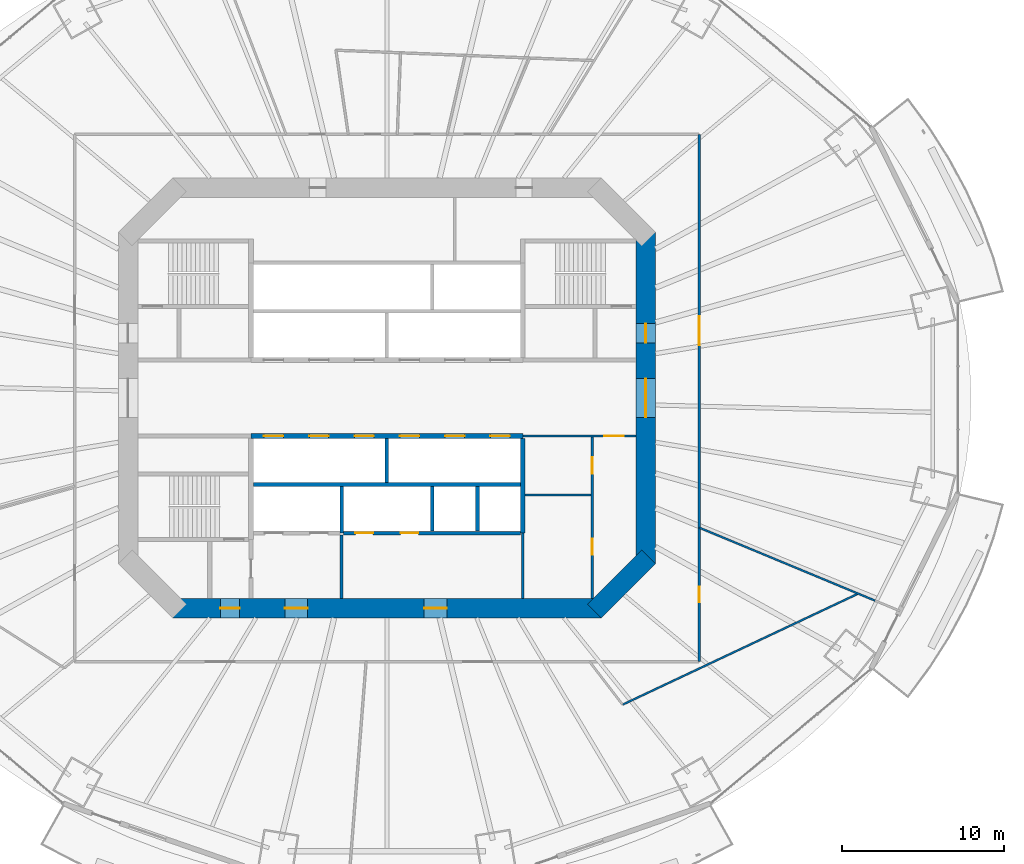
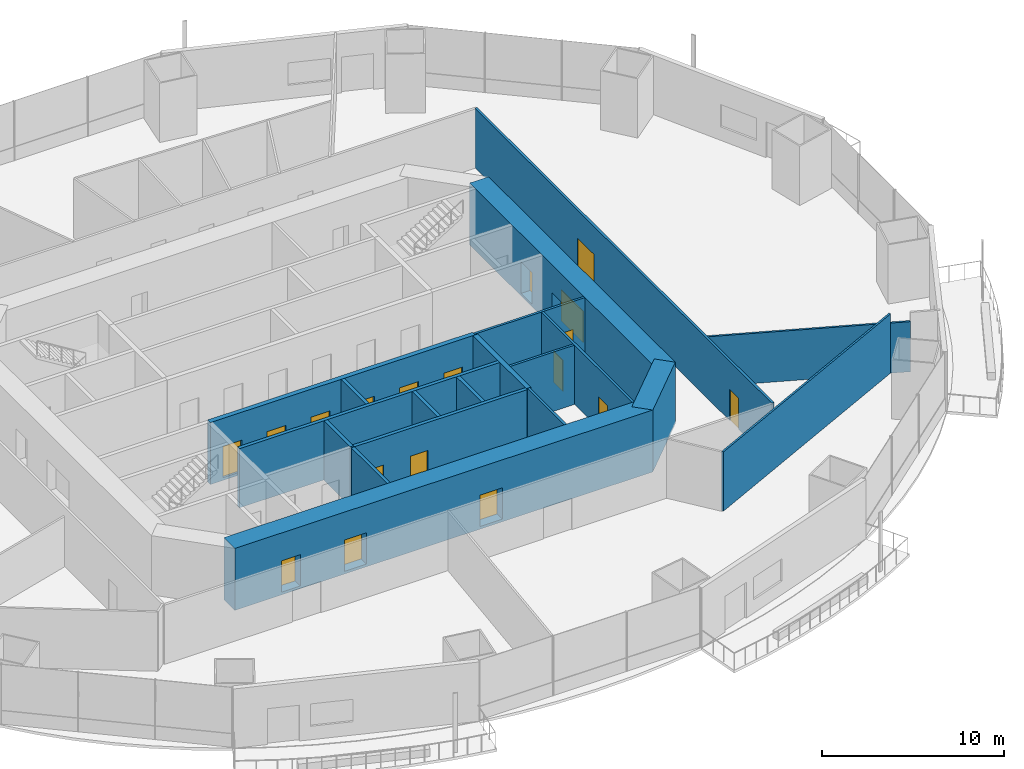
# One storey, part 15 of 23: 19 walls, 18 doors, 18 openings.
"""IFC4 building model written with IfcOpenShell, lengths in metres."""

import ifcopenshell
import ifcopenshell.guid

model = None  # the IFC model being written
_history = None  # IfcOwnerHistory: only IFC2X3 demands one
_inside = {}  # id of a spatial element -> (the spatial element, [elements in it])
_under = {}  # id of a project, library or spatial element -> (it, [spatial elements below it])
_declared = {}  # id of a project -> (the project, [libraries it declares])
_typed = {}  # id of a type object -> (the type object, [elements of that type])
_made_of = {}  # id of a material, layer set ... -> (it, [elements and type objects made of it])


def new_model(schema):
    """Start an empty IFC model of exactly this schema.

    Asked for "IFC4X3", IfcOpenShell would pick the latest addendum, in which some entities
    have other attributes; the version numbers below select the first issue.
    IFC2X3 requires an IfcOwnerHistory on every rooted entity: one is made here for all.
    """
    global model, _history
    if schema == "IFC4X3":
        model = ifcopenshell.file(schema_version=(4, 3, 0, 0))
    else:
        model = ifcopenshell.file(schema=schema)
    _inside.clear()
    _under.clear()
    _declared.clear()
    _typed.clear()
    _made_of.clear()
    _history = None
    if model.schema == "IFC2X3":
        org = make("IfcOrganization", Name="unknown")
        user = make(
            "IfcPersonAndOrganization",
            ThePerson=make("IfcPerson", FamilyName="unknown"),
            TheOrganization=org,
        )
        app = make(
            "IfcApplication",
            ApplicationDeveloper=org,
            Version="unknown",
            ApplicationFullName="unknown",
            ApplicationIdentifier="unknown",
        )
        _history = make(
            "IfcOwnerHistory",
            OwningUser=user,
            OwningApplication=app,
            ChangeAction="ADDED",
            CreationDate=0,
        )
    return model


def make(cls, **values):
    """One entity of the class cls with the attributes given. An attribute that is None is left unset."""
    return model.create_entity(
        cls, **{name: value for name, value in values.items() if value is not None}
    )


def rooted(cls, **values):
    """An entity with a GlobalId (a new one), such as an element, a storey or a relation."""
    return make(cls, GlobalId=ifcopenshell.guid.new(), OwnerHistory=_history, **values)


def si_unit(unit_type, name, prefix=None):
    """IfcSIUnit, for example si_unit("LENGTHUNIT", "METRE", prefix="MILLI")."""
    return make("IfcSIUnit", UnitType=unit_type, Prefix=prefix, Name=name)


def assignment(units):
    """IfcUnitAssignment: the units of a project."""
    return None if units is None else make("IfcUnitAssignment", Units=units)


def point(xyz):
    """IfcCartesianPoint."""
    return None if xyz is None else make("IfcCartesianPoint", Coordinates=xyz)


def direction(xyz):
    """IfcDirection."""
    return None if xyz is None else make("IfcDirection", DirectionRatios=xyz)


def frame(location, z_axis=None, x_axis=None):
    """IfcAxis2Placement3D, a coordinate frame: its origin and axes. An axis left out is left unset."""
    return make(
        "IfcAxis2Placement3D",
        Location=point(location),
        Axis=direction(z_axis),
        RefDirection=direction(x_axis),
    )


def frame_2d(location, x_axis=None):
    """IfcAxis2Placement2D, a coordinate frame in the plane: its origin and x axis."""
    return make(
        "IfcAxis2Placement2D", Location=point(location), RefDirection=direction(x_axis)
    )


def origin():
    """The frame at (0, 0, 0) with its axes left unset."""
    return frame((0.0, 0.0, 0.0))


def place(relative_to, where):
    """IfcLocalPlacement: puts the frame where relative to a parent placement (None: the world)."""
    return make(
        "IfcLocalPlacement", PlacementRelTo=relative_to, RelativePlacement=where
    )


def context(
    kind, dimensions, precision=None, world=None, true_north=None, identifier=None
):
    """IfcGeometricRepresentationContext, for example the 3D "Model" context."""
    return make(
        "IfcGeometricRepresentationContext",
        ContextIdentifier=identifier,
        ContextType=kind,
        CoordinateSpaceDimension=dimensions,
        Precision=precision,
        WorldCoordinateSystem=world,
        TrueNorth=true_north,
    )


def subcontext(parent, identifier, kind, view, scale=None):
    """IfcGeometricRepresentationSubContext, for example "Body" below "Model"."""
    return make(
        "IfcGeometricRepresentationSubContext",
        ContextIdentifier=identifier,
        ContextType=kind,
        ParentContext=parent,
        TargetScale=scale,
        TargetView=view,
    )


def project(units=None, contexts=None):
    """IfcProject with its units and contexts."""
    return rooted(
        "IfcProject",
        Name="project",
        RepresentationContexts=contexts,
        UnitsInContext=assignment(units),
    )


def spatial(cls, under=None, at=None, **own):
    """A site, building, storey or space (cls), placed at a placement, below another one or the project."""
    s = rooted(cls, ObjectPlacement=at, **own)
    if under is not None:
        _under.setdefault(under.id(), (under, []))[1].append(s)
    return s


def profile(cls, at=None, kind="AREA", **sizes):
    """A parametric profile (cls). Its sizes go by their IFC names, for example OverallWidth=200.0."""
    return make(cls, ProfileType=kind, Position=at, **sizes)


def rectangle(**sizes):
    """IfcRectangleProfileDef."""
    return profile("IfcRectangleProfileDef", **sizes)


def extrude(swept, where, along, depth):
    """IfcExtrudedAreaSolid: the profile swept, set in the frame where, extruded along a direction by depth."""
    return make(
        "IfcExtrudedAreaSolid",
        SweptArea=swept,
        Position=where,
        ExtrudedDirection=direction(along),
        Depth=depth,
    )


def shape(context_of_items, identifier, shape_type, items):
    """IfcShapeRepresentation: the items that make up one representation, for example the "Body"."""
    return make(
        "IfcShapeRepresentation",
        ContextOfItems=context_of_items,
        RepresentationIdentifier=identifier,
        RepresentationType=shape_type,
        Items=items,
    )


def material(Name=None, Category=None):
    """IfcMaterial."""
    return make("IfcMaterial", Name=Name, Category=Category)


def layer(
    of_material, thickness, ventilated=None, Name=None, Category=None, Priority=None
):
    """IfcMaterialLayer: one layer of a wall or slab, of a material (None: an air gap)."""
    return make(
        "IfcMaterialLayer",
        Material=of_material,
        LayerThickness=thickness,
        IsVentilated=ventilated,
        Name=Name,
        Category=Category,
        Priority=Priority,
    )


def layer_set(layers, Name=None):
    """IfcMaterialLayerSet."""
    return make("IfcMaterialLayerSet", MaterialLayers=layers, LayerSetName=Name)


def made_of(thing, what):
    """Note that an element or type object is made of a material, layer set ...; save() writes the relation."""
    if what is not None:
        _made_of.setdefault(what.id(), (what, []))[1].append(thing)
    return thing


def type_object(cls, material=None, **own):
    """A type object (cls), such as IfcWallType, which elements share."""
    return made_of(rooted(cls, **own), material)


def element(
    cls,
    number,
    at=None,
    inside=None,
    cuts=None,
    type_object=None,
    material=None,
    context=None,
    identifier="Body",
    shape_type=None,
    held_by="IfcProductDefinitionShape",
    body=None,
    shapes=None,
    **own,
):
    """One element of the class cls, such as IfcWall. Its Tag is "e" and its number.

    at: its placement. inside: the storey or other place that contains it. cuts: it is an
    opening in that element (IfcRelVoidsElement). A single representation is given by context,
    identifier, shape_type and body (its items); several are given by shapes. held_by: the class
    of the entity that holds the representations. save() writes the other relations.
    """
    e = rooted(cls, Tag="e%d" % number, ObjectPlacement=at, **own)
    if body is not None:
        shapes = [shape(context, identifier, shape_type, body)]
    if shapes is not None:
        e.Representation = make(held_by, Representations=shapes)
    if inside is not None:
        _inside.setdefault(inside.id(), (inside, []))[1].append(e)
    if cuts is not None:
        rooted(
            "IfcRelVoidsElement", RelatingBuildingElement=cuts, RelatedOpeningElement=e
        )
    if type_object is not None:
        _typed.setdefault(type_object.id(), (type_object, []))[1].append(e)
    return made_of(e, material)


def fill(opening, filler):
    """IfcRelFillsElement: the door or window that sits in an opening."""
    return rooted(
        "IfcRelFillsElement",
        RelatingOpeningElement=opening,
        RelatedBuildingElement=filler,
    )


def aggregate(whole, parts):
    """IfcRelAggregates: a whole, such as a stair, and the parts it consists of."""
    return rooted("IfcRelAggregates", RelatingObject=whole, RelatedObjects=parts)


def save(model, path):
    """Write the relations noted so far, then the file.

    IfcRelAggregates (storeys below a building ...), IfcRelContainedInSpatialStructure (elements
    in a storey), IfcRelDefinesByType, IfcRelAssociatesMaterial and IfcRelDeclares: one each for
    every whole, place, type object, material and project.
    """
    for whole, parts in _under.values():
        aggregate(whole, parts)
    for where, things in _inside.values():
        rooted(
            "IfcRelContainedInSpatialStructure",
            RelatedElements=things,
            RelatingStructure=where,
        )
    for kind, things in _typed.values():
        rooted("IfcRelDefinesByType", RelatedObjects=things, RelatingType=kind)
    for what, things in _made_of.values():
        rooted("IfcRelAssociatesMaterial", RelatedObjects=things, RelatingMaterial=what)
    for by, libraries in _declared.values():
        rooted("IfcRelDeclares", RelatingContext=by, RelatedDefinitions=libraries)
    model.write(path)


model = new_model("IFC4")

# Units and contexts
model_context = context("Model", 3, precision=1e-05, world=origin(), true_north=direction((0.0, 1.0)))
body_context = subcontext(model_context, "Body", "Model", "MODEL_VIEW")
ifc_project = project(units=[si_unit("LENGTHUNIT", "METRE"), si_unit("AREAUNIT", "SQUARE_METRE"), si_unit("VOLUMEUNIT", "CUBIC_METRE"), si_unit("PLANEANGLEUNIT", "RADIAN"), si_unit("MASSUNIT", "GRAM", prefix="KILO")], contexts=[model_context])

# Site, building, storey
site_placement = place(None, origin())
site = spatial("IfcSite", under=ifc_project, at=site_placement, CompositionType="ELEMENT")
building_placement = place(site_placement, origin())
building = spatial("IfcBuilding", under=site, at=building_placement, Name="Marenthal Gate Tower", CompositionType="ELEMENT")
storey_placement = place(building_placement, frame((0.0, 0.0, 57.89990234375)))
storey = spatial("IfcBuildingStorey", under=building, at=storey_placement, Name="L10", CompositionType="ELEMENT", Elevation=57.89990234375)

# Wall
ifc_material_1 = material(Name="Concrete 60 MPa", Category="concrete")
ifc_layer_1 = layer(ifc_material_1, 1.199951171875)
ifc_layer_set_1 = layer_set([ifc_layer_1], Name="Core shear wall 1200")
wall_type_1 = type_object("IfcWallType", Name="Core shear wall 1200", PredefinedType="SHEAR", material=ifc_layer_set_1)
wall_1_placement = place(storey_placement, frame((12.82421875, -13.17578125, -0.179931640625), z_axis=(0.0, 0.0, 1.0), x_axis=(0.707106781187, 0.707106781187, 0.0)))
element("IfcWall", 1, at=wall_1_placement, inside=storey, type_object=wall_type_1, Name="Core wall 01", PredefinedType="SHEAR", context=body_context, shape_type="SweptSolid", body=[
    extrude(rectangle(XDim=4.73974609375, YDim=1.199951171875, at=frame_2d((2.369873046875, 0.0))), origin(), (0.0, 0.0, 1.0), 4.150146484375),
])

# Wall, openings, doors
wall_2_placement = place(storey_placement, frame((16.0, -10.24853515625, -0.179931640625), z_axis=(0.0, 0.0, 1.0), x_axis=(0.0, 1.0, 0.0)))
wall_2 = element("IfcWall", 2, at=wall_2_placement, inside=storey, type_object=wall_type_1, Name="Core wall 02", PredefinedType="SHEAR", context=body_context, shape_type="SweptSolid", body=[
    extrude(rectangle(XDim=20.4970703125, YDim=1.199951171875, at=frame_2d((10.24853515625, 0.0))), origin(), (0.0, 0.0, 1.0), 4.150146484375),
])
opening_1_placement = place(wall_2_placement, frame((9.048583984375, 0.0, 0.179931640625)))
opening_1 = element("IfcOpeningElement", 3, at=opening_1_placement, cuts=wall_2, Name="Opening D003.02", PredefinedType="OPENING", context=body_context, shape_type="SweptSolid", body=[
    extrude(rectangle(XDim=2.39990234375, YDim=2.10009765625, at=frame_2d((1.199951171875, 1.050048828125))), frame((0.0, 0.60986328125, 0.0), z_axis=(0.0, -1.0, 0.0), x_axis=(1.0, 0.0, 0.0)), (0.0, 0.0, 1.0), 1.219970703125),
])
opening_2_placement = place(wall_2_placement, frame((13.6484375, 0.0, 0.179931640625)))
opening_2 = element("IfcOpeningElement", 4, at=opening_2_placement, cuts=wall_2, Name="Opening D001.05", PredefinedType="OPENING", context=body_context, shape_type="SweptSolid", body=[
    extrude(rectangle(XDim=1.199951171875, YDim=2.10009765625, at=frame_2d((0.60009765625, 1.050048828125))), frame((0.0, 0.60986328125, 0.0), z_axis=(0.0, -1.0, 0.0), x_axis=(1.0, 0.0, 0.0)), (0.0, 0.0, 1.0), 1.219970703125),
])
ifc_material_2 = material(Name="Steel fire door", Category="steel")
door_type_1 = type_object("IfcDoorType", Name="Double fire door FD 45 2400 x 2100", OperationType="DOUBLE_DOOR_SINGLE_SWING", PredefinedType="DOOR", material=ifc_material_2)
door_1_placement = place(opening_1_placement, origin())
door_1 = element("IfcDoor", 5, at=door_1_placement, inside=storey, type_object=door_type_1, Name="Door D003.02", OperationType="DOUBLE_DOOR_SINGLE_SWING", OverallHeight=2.10009765625, OverallWidth=2.39990234375, PredefinedType="DOOR", context=body_context, shape_type="SweptSolid", body=[
    extrude(rectangle(XDim=2.39990234375, YDim=2.10009765625, at=frame_2d((1.199951171875, 1.050048828125))), frame((0.0, 0.02490234375, 0.0), z_axis=(0.0, -1.0, 0.0), x_axis=(1.0, 0.0, 0.0)), (0.0, 0.0, 1.0), 0.050048828125),
])
fill(opening_1, door_1)
ifc_material_3 = material(Name="Steel fire door", Category="steel")
door_type_2 = type_object("IfcDoorType", Name="Fire door FD 90 1200 x 2100", OperationType="NOTDEFINED", PredefinedType="DOOR", material=ifc_material_3)
door_2_placement = place(opening_2_placement, origin())
door_2 = element("IfcDoor", 6, at=door_2_placement, inside=storey, type_object=door_type_2, Name="Door D001.05", OperationType="SINGLE_SWING_RIGHT", OverallHeight=2.10009765625, OverallWidth=1.199951171875, PredefinedType="DOOR", context=body_context, shape_type="SweptSolid", body=[
    extrude(rectangle(XDim=1.199951171875, YDim=2.10009765625, at=frame_2d((0.60009765625, 1.050048828125))), frame((0.0, 0.02490234375, 0.0), z_axis=(0.0, -1.0, 0.0), x_axis=(1.0, 0.0, 0.0)), (0.0, 0.0, 1.0), 0.050048828125),
])
fill(opening_2, door_2)

wall_3_placement = place(storey_placement, frame((-13.24853515625, -13.0, -0.179931640625), z_axis=(0.0, 0.0, 1.0), x_axis=(1.0, 0.0, 0.0)))
wall_3 = element("IfcWall", 7, at=wall_3_placement, inside=storey, type_object=wall_type_1, Name="Core wall 08", PredefinedType="SHEAR", context=body_context, shape_type="SweptSolid", body=[
    extrude(rectangle(XDim=26.4970703125, YDim=1.199951171875, at=frame_2d((13.24853515625, 0.0))), origin(), (0.0, 0.0, 1.0), 4.150146484375),
])
opening_3_placement = place(wall_3_placement, frame((2.948486328125, 0.0, 0.179931640625)))
opening_3 = element("IfcOpeningElement", 8, at=opening_3_placement, cuts=wall_3, Name="Opening D001.06", PredefinedType="OPENING", context=body_context, shape_type="SweptSolid", body=[
    extrude(rectangle(XDim=1.199951171875, YDim=2.10009765625, at=frame_2d((0.60009765625, 1.050048828125))), frame((0.0, 0.60986328125, 0.0), z_axis=(0.0, -1.0, 0.0), x_axis=(1.0, 0.0, 0.0)), (0.0, 0.0, 1.0), 1.219970703125),
])
opening_4_placement = place(wall_3_placement, frame((6.948486328125, 0.0, 0.179931640625)))
opening_4 = element("IfcOpeningElement", 9, at=opening_4_placement, cuts=wall_3, Name="Opening D004.01", PredefinedType="OPENING", context=body_context, shape_type="SweptSolid", body=[
    extrude(rectangle(XDim=1.39990234375, YDim=2.10009765625, at=frame_2d((0.699951171875, 1.050048828125))), frame((0.0, 0.60986328125, 0.0), z_axis=(0.0, -1.0, 0.0), x_axis=(1.0, 0.0, 0.0)), (0.0, 0.0, 1.0), 1.219970703125),
])
opening_5_placement = place(wall_3_placement, frame((15.548583984375, 0.0, 0.179931640625)))
opening_5 = element("IfcOpeningElement", 10, at=opening_5_placement, cuts=wall_3, Name="Opening D004.02", PredefinedType="OPENING", context=body_context, shape_type="SweptSolid", body=[
    extrude(rectangle(XDim=1.39990234375, YDim=2.10009765625, at=frame_2d((0.699951171875, 1.050048828125))), frame((0.0, 0.60986328125, 0.0), z_axis=(0.0, -1.0, 0.0), x_axis=(1.0, 0.0, 0.0)), (0.0, 0.0, 1.0), 1.219970703125),
])
ifc_material_4 = material(Name="Steel fire door", Category="steel")
door_type_3 = type_object("IfcDoorType", Name="Fire door FD 45 1400 x 2100", OperationType="NOTDEFINED", PredefinedType="DOOR", material=ifc_material_4)
door_3_placement = place(opening_4_placement, origin())
door_3 = element("IfcDoor", 11, at=door_3_placement, inside=storey, type_object=door_type_3, Name="Door D004.01", OperationType="SINGLE_SWING_RIGHT", OverallHeight=2.10009765625, OverallWidth=1.39990234375, PredefinedType="DOOR", context=body_context, shape_type="SweptSolid", body=[
    extrude(rectangle(XDim=1.39990234375, YDim=2.10009765625, at=frame_2d((0.699951171875, 1.050048828125))), frame((0.0, 0.02490234375, 0.0), z_axis=(0.0, -1.0, 0.0), x_axis=(1.0, 0.0, 0.0)), (0.0, 0.0, 1.0), 0.050048828125),
])
fill(opening_4, door_3)
door_4_placement = place(opening_5_placement, origin())
door_4 = element("IfcDoor", 12, at=door_4_placement, inside=storey, type_object=door_type_3, Name="Door D004.02", OperationType="SINGLE_SWING_RIGHT", OverallHeight=2.10009765625, OverallWidth=1.39990234375, PredefinedType="DOOR", context=body_context, shape_type="SweptSolid", body=[
    extrude(rectangle(XDim=1.39990234375, YDim=2.10009765625, at=frame_2d((0.699951171875, 1.050048828125))), frame((0.0, 0.02490234375, 0.0), z_axis=(0.0, -1.0, 0.0), x_axis=(1.0, 0.0, 0.0)), (0.0, 0.0, 1.0), 0.050048828125),
])
fill(opening_5, door_4)
door_5_placement = place(opening_3_placement, origin())
door_5 = element("IfcDoor", 13, at=door_5_placement, inside=storey, type_object=door_type_2, Name="Door D001.06", OperationType="SINGLE_SWING_RIGHT", OverallHeight=2.10009765625, OverallWidth=1.199951171875, PredefinedType="DOOR", context=body_context, shape_type="SweptSolid", body=[
    extrude(rectangle(XDim=1.199951171875, YDim=2.10009765625, at=frame_2d((0.60009765625, 1.050048828125))), frame((0.0, 0.02490234375, 0.0), z_axis=(0.0, -1.0, 0.0), x_axis=(1.0, 0.0, 0.0)), (0.0, 0.0, 1.0), 0.050048828125),
])
fill(opening_3, door_5)

# Wall
ifc_material_5 = material(Name="Gypsum board on steel studs", Category="steel")
ifc_layer_2 = layer(ifc_material_5, 0.199951171875)
ifc_layer_set_2 = layer_set([ifc_layer_2], Name="Fire lobby wall 200")
wall_type_2 = type_object("IfcWallType", Name="Fire lobby wall 200", PredefinedType="PARTITIONING", material=ifc_layer_set_2)
wall_4_placement = place(storey_placement, frame((-2.800048828125, -12.39990234375, 0.0), z_axis=(0.0, 0.0, 1.0), x_axis=(0.0, 1.0, 0.0)))
element("IfcWall", 14, at=wall_4_placement, inside=storey, type_object=wall_type_2, Name="Fire wall 33", PredefinedType="PARTITIONING", context=body_context, shape_type="SweptSolid", body=[
    extrude(rectangle(XDim=3.93994140625, YDim=0.199951171875, at=frame_2d((1.969970703125, 0.0))), origin(), (0.0, 0.0, 1.0), 3.97021484375),
])

# Wall, openings, doors
ifc_material_6 = material(Name="Concrete 50 MPa", Category="concrete")
ifc_layer_3 = layer(ifc_material_6, 0.300048828125)
ifc_layer_set_3 = layer_set([ifc_layer_3], Name="Hoistway shear wall 300")
wall_type_3 = type_object("IfcWallType", Name="Hoistway shear wall 300", PredefinedType="SHEAR", material=ifc_layer_set_3)
wall_5_placement = place(storey_placement, frame((-8.39990234375, -2.35009765625, -0.179931640625), z_axis=(0.0, 0.0, 1.0), x_axis=(1.0, 0.0, 0.0)))
wall_5 = element("IfcWall", 15, at=wall_5_placement, inside=storey, type_object=wall_type_3, Name="Hoistway wall 16", PredefinedType="SHEAR", context=body_context, shape_type="SweptSolid", body=[
    extrude(rectangle(XDim=16.7998046875, YDim=0.300048828125, at=frame_2d((8.39990234375, 0.0))), origin(), (0.0, 0.0, 1.0), 4.150146484375),
])
opening_6_placement = place(wall_5_placement, frame((0.800048828125, 0.0, 0.179931640625)))
opening_6 = element("IfcOpeningElement", 16, at=opening_6_placement, cuts=wall_5, Name="Opening LD-LP7", PredefinedType="OPENING", context=body_context, shape_type="SweptSolid", body=[
    extrude(rectangle(XDim=1.199951171875, YDim=2.10009765625, at=frame_2d((0.60009765625, 1.050048828125))), frame((0.0, 0.16015625, 0.0), z_axis=(0.0, -1.0, 0.0), x_axis=(1.0, 0.0, 0.0)), (0.0, 0.0, 1.0), 0.320068359375),
])
opening_7_placement = place(wall_5_placement, frame((3.60009765625, 0.0, 0.179931640625)))
opening_7 = element("IfcOpeningElement", 17, at=opening_7_placement, cuts=wall_5, Name="Opening LD-LP8", PredefinedType="OPENING", context=body_context, shape_type="SweptSolid", body=[
    extrude(rectangle(XDim=1.199951171875, YDim=2.10009765625, at=frame_2d((0.60009765625, 1.050048828125))), frame((0.0, 0.16015625, 0.0), z_axis=(0.0, -1.0, 0.0), x_axis=(1.0, 0.0, 0.0)), (0.0, 0.0, 1.0), 0.320068359375),
])
opening_8_placement = place(wall_5_placement, frame((6.39990234375, 0.0, 0.179931640625)))
opening_8 = element("IfcOpeningElement", 18, at=opening_8_placement, cuts=wall_5, Name="Opening LD-LP9", PredefinedType="OPENING", context=body_context, shape_type="SweptSolid", body=[
    extrude(rectangle(XDim=1.199951171875, YDim=2.10009765625, at=frame_2d((0.60009765625, 1.050048828125))), frame((0.0, 0.16015625, 0.0), z_axis=(0.0, -1.0, 0.0), x_axis=(1.0, 0.0, 0.0)), (0.0, 0.0, 1.0), 0.320068359375),
])
opening_9_placement = place(wall_5_placement, frame((9.199951171875, 0.0, 0.179931640625)))
opening_9 = element("IfcOpeningElement", 19, at=opening_9_placement, cuts=wall_5, Name="Opening LD-LP10", PredefinedType="OPENING", context=body_context, shape_type="SweptSolid", body=[
    extrude(rectangle(XDim=1.199951171875, YDim=2.10009765625, at=frame_2d((0.60009765625, 1.050048828125))), frame((0.0, 0.16015625, 0.0), z_axis=(0.0, -1.0, 0.0), x_axis=(1.0, 0.0, 0.0)), (0.0, 0.0, 1.0), 0.320068359375),
])
opening_10_placement = place(wall_5_placement, frame((12.0, 0.0, 0.179931640625)))
opening_10 = element("IfcOpeningElement", 20, at=opening_10_placement, cuts=wall_5, Name="Opening LD-LP11", PredefinedType="OPENING", context=body_context, shape_type="SweptSolid", body=[
    extrude(rectangle(XDim=1.199951171875, YDim=2.10009765625, at=frame_2d((0.60009765625, 1.050048828125))), frame((0.0, 0.16015625, 0.0), z_axis=(0.0, -1.0, 0.0), x_axis=(1.0, 0.0, 0.0)), (0.0, 0.0, 1.0), 0.320068359375),
])
opening_11_placement = place(wall_5_placement, frame((14.800048828125, 0.0, 0.179931640625)))
opening_11 = element("IfcOpeningElement", 21, at=opening_11_placement, cuts=wall_5, Name="Opening LD-LP12", PredefinedType="OPENING", context=body_context, shape_type="SweptSolid", body=[
    extrude(rectangle(XDim=1.199951171875, YDim=2.10009765625, at=frame_2d((0.60009765625, 1.050048828125))), frame((0.0, 0.16015625, 0.0), z_axis=(0.0, -1.0, 0.0), x_axis=(1.0, 0.0, 0.0)), (0.0, 0.0, 1.0), 0.320068359375),
])
ifc_material_7 = material(Name="Stainless steel sliding door", Category="steel")
door_type_4 = type_object("IfcDoorType", Name="Lift landing door FD 90 1200 x 2100", OperationType="DOUBLE_DOOR_SLIDING", PredefinedType="DOOR", material=ifc_material_7)
door_6_placement = place(opening_6_placement, origin())
door_6 = element("IfcDoor", 22, at=door_6_placement, inside=storey, type_object=door_type_4, Name="Lift landing door LP7", OperationType="DOUBLE_DOOR_SLIDING", OverallHeight=2.10009765625, OverallWidth=1.199951171875, PredefinedType="DOOR", context=body_context, shape_type="SweptSolid", body=[
    extrude(rectangle(XDim=1.199951171875, YDim=2.10009765625, at=frame_2d((0.60009765625, 1.050048828125))), frame((0.0, 0.02490234375, 0.0), z_axis=(0.0, -1.0, 0.0), x_axis=(1.0, 0.0, 0.0)), (0.0, 0.0, 1.0), 0.050048828125),
])
fill(opening_6, door_6)
door_7_placement = place(opening_7_placement, origin())
door_7 = element("IfcDoor", 23, at=door_7_placement, inside=storey, type_object=door_type_4, Name="Lift landing door LP8", OperationType="DOUBLE_DOOR_SLIDING", OverallHeight=2.10009765625, OverallWidth=1.199951171875, PredefinedType="DOOR", context=body_context, shape_type="SweptSolid", body=[
    extrude(rectangle(XDim=1.199951171875, YDim=2.10009765625, at=frame_2d((0.60009765625, 1.050048828125))), frame((0.0, 0.02490234375, 0.0), z_axis=(0.0, -1.0, 0.0), x_axis=(1.0, 0.0, 0.0)), (0.0, 0.0, 1.0), 0.050048828125),
])
fill(opening_7, door_7)
door_8_placement = place(opening_8_placement, origin())
door_8 = element("IfcDoor", 24, at=door_8_placement, inside=storey, type_object=door_type_4, Name="Lift landing door LP9", OperationType="DOUBLE_DOOR_SLIDING", OverallHeight=2.10009765625, OverallWidth=1.199951171875, PredefinedType="DOOR", context=body_context, shape_type="SweptSolid", body=[
    extrude(rectangle(XDim=1.199951171875, YDim=2.10009765625, at=frame_2d((0.60009765625, 1.050048828125))), frame((0.0, 0.02490234375, 0.0), z_axis=(0.0, -1.0, 0.0), x_axis=(1.0, 0.0, 0.0)), (0.0, 0.0, 1.0), 0.050048828125),
])
fill(opening_8, door_8)
door_9_placement = place(opening_9_placement, origin())
door_9 = element("IfcDoor", 25, at=door_9_placement, inside=storey, type_object=door_type_4, Name="Lift landing door LP10", OperationType="DOUBLE_DOOR_SLIDING", OverallHeight=2.10009765625, OverallWidth=1.199951171875, PredefinedType="DOOR", context=body_context, shape_type="SweptSolid", body=[
    extrude(rectangle(XDim=1.199951171875, YDim=2.10009765625, at=frame_2d((0.60009765625, 1.050048828125))), frame((0.0, 0.02490234375, 0.0), z_axis=(0.0, -1.0, 0.0), x_axis=(1.0, 0.0, 0.0)), (0.0, 0.0, 1.0), 0.050048828125),
])
fill(opening_9, door_9)
door_10_placement = place(opening_10_placement, origin())
door_10 = element("IfcDoor", 26, at=door_10_placement, inside=storey, type_object=door_type_4, Name="Lift landing door LP11", OperationType="DOUBLE_DOOR_SLIDING", OverallHeight=2.10009765625, OverallWidth=1.199951171875, PredefinedType="DOOR", context=body_context, shape_type="SweptSolid", body=[
    extrude(rectangle(XDim=1.199951171875, YDim=2.10009765625, at=frame_2d((0.60009765625, 1.050048828125))), frame((0.0, 0.02490234375, 0.0), z_axis=(0.0, -1.0, 0.0), x_axis=(1.0, 0.0, 0.0)), (0.0, 0.0, 1.0), 0.050048828125),
])
fill(opening_10, door_10)
door_11_placement = place(opening_11_placement, origin())
door_11 = element("IfcDoor", 27, at=door_11_placement, inside=storey, type_object=door_type_4, Name="Lift landing door LP12", OperationType="DOUBLE_DOOR_SLIDING", OverallHeight=2.10009765625, OverallWidth=1.199951171875, PredefinedType="DOOR", context=body_context, shape_type="SweptSolid", body=[
    extrude(rectangle(XDim=1.199951171875, YDim=2.10009765625, at=frame_2d((0.60009765625, 1.050048828125))), frame((0.0, 0.02490234375, 0.0), z_axis=(0.0, -1.0, 0.0), x_axis=(1.0, 0.0, 0.0)), (0.0, 0.0, 1.0), 0.050048828125),
])
fill(opening_11, door_11)

# Wall
wall_6_placement = place(storey_placement, frame((8.39990234375, -8.35009765625, -0.179931640625), z_axis=(0.0, 0.0, 1.0), x_axis=(0.0, 1.0, 0.0)))
element("IfcWall", 28, at=wall_6_placement, inside=storey, type_object=wall_type_3, Name="Hoistway wall 42", PredefinedType="SHEAR", context=body_context, shape_type="SweptSolid", body=[
    extrude(rectangle(XDim=5.85009765625, YDim=0.300048828125, at=frame_2d((2.925048828125, 0.0))), origin(), (0.0, 0.0, 1.0), 4.150146484375),
])

# Wall, openings, doors
ifc_material_8 = material(Name="Concrete 40 MPa", Category="concrete")
ifc_layer_4 = layer(ifc_material_8, 0.219970703125)
ifc_layer_set_4 = layer_set([ifc_layer_4], Name="Hoistway wall 220")
wall_type_4 = type_object("IfcWallType", Name="Hoistway wall 220", PredefinedType="STANDARD", material=ifc_layer_set_4)
wall_7_placement = place(storey_placement, frame((-2.68994140625, -8.35009765625, 0.0), z_axis=(0.0, 0.0, 1.0), x_axis=(1.0, 0.0, 0.0)))
wall_7 = element("IfcWall", 29, at=wall_7_placement, inside=storey, type_object=wall_type_4, Name="Hoistway wall 11", PredefinedType="STANDARD", context=body_context, shape_type="SweptSolid", body=[
    extrude(rectangle(XDim=10.93994140625, YDim=0.219970703125, at=frame_2d((5.469970703125, 0.0))), origin(), (0.0, 0.0, 1.0), 3.97021484375),
])
opening_12_placement = place(wall_7_placement, frame((0.739990234375, 0.0, 0.0)))
opening_12 = element("IfcOpeningElement", 30, at=opening_12_placement, cuts=wall_7, Name="Opening LD-SV1", PredefinedType="OPENING", context=body_context, shape_type="SweptSolid", body=[
    extrude(rectangle(XDim=1.10009765625, YDim=2.10009765625, at=frame_2d((0.550048828125, 1.050048828125))), frame((0.0, 0.1201171875, 0.0), z_axis=(0.0, -1.0, 0.0), x_axis=(1.0, 0.0, 0.0)), (0.0, 0.0, 1.0), 0.239990234375),
])
opening_13_placement = place(wall_7_placement, frame((3.5400390625, 0.0, 0.0)))
opening_13 = element("IfcOpeningElement", 31, at=opening_13_placement, cuts=wall_7, Name="Opening LD-SV2", PredefinedType="OPENING", context=body_context, shape_type="SweptSolid", body=[
    extrude(rectangle(XDim=1.10009765625, YDim=2.10009765625, at=frame_2d((0.550048828125, 1.050048828125))), frame((0.0, 0.1201171875, 0.0), z_axis=(0.0, -1.0, 0.0), x_axis=(1.0, 0.0, 0.0)), (0.0, 0.0, 1.0), 0.239990234375),
])
ifc_material_9 = material(Name="Stainless steel sliding door", Category="steel")
door_type_5 = type_object("IfcDoorType", Name="Lift landing door FD 90 1100 x 2100", OperationType="DOUBLE_DOOR_SLIDING", PredefinedType="DOOR", material=ifc_material_9)
door_12_placement = place(opening_12_placement, origin())
door_12 = element("IfcDoor", 32, at=door_12_placement, inside=storey, type_object=door_type_5, Name="Lift landing door SV1", OperationType="DOUBLE_DOOR_SLIDING", OverallHeight=2.10009765625, OverallWidth=1.10009765625, PredefinedType="DOOR", context=body_context, shape_type="SweptSolid", body=[
    extrude(rectangle(XDim=1.10009765625, YDim=2.10009765625, at=frame_2d((0.550048828125, 1.050048828125))), frame((0.0, 0.02490234375, 0.0), z_axis=(0.0, -1.0, 0.0), x_axis=(1.0, 0.0, 0.0)), (0.0, 0.0, 1.0), 0.050048828125),
])
fill(opening_12, door_12)
door_13_placement = place(opening_13_placement, origin())
door_13 = element("IfcDoor", 33, at=door_13_placement, inside=storey, type_object=door_type_5, Name="Lift landing door SV2", OperationType="DOUBLE_DOOR_SLIDING", OverallHeight=2.10009765625, OverallWidth=1.10009765625, PredefinedType="DOOR", context=body_context, shape_type="SweptSolid", body=[
    extrude(rectangle(XDim=1.10009765625, YDim=2.10009765625, at=frame_2d((0.550048828125, 1.050048828125))), frame((0.0, 0.02490234375, 0.0), z_axis=(0.0, -1.0, 0.0), x_axis=(1.0, 0.0, 0.0)), (0.0, 0.0, 1.0), 0.050048828125),
])
fill(opening_13, door_13)

# Walls
wall_8_placement = place(storey_placement, frame((-8.25, -5.35009765625, 0.0), z_axis=(0.0, 0.0, 1.0), x_axis=(1.0, 0.0, 0.0)))
element("IfcWall", 34, at=wall_8_placement, inside=storey, type_object=wall_type_4, Name="Hoistway wall 13", PredefinedType="STANDARD", context=body_context, shape_type="SweptSolid", body=[
    extrude(rectangle(XDim=16.5, YDim=0.219970703125, at=frame_2d((8.25, 0.0))), origin(), (0.0, 0.0, 1.0), 3.97021484375),
])
wall_9_placement = place(storey_placement, frame((-2.800048828125, -8.35009765625, 0.0), z_axis=(0.0, 0.0, 1.0), x_axis=(0.0, 1.0, 0.0)))
element("IfcWall", 35, at=wall_9_placement, inside=storey, type_object=wall_type_4, Name="Hoistway wall 34", PredefinedType="STANDARD", context=body_context, shape_type="SweptSolid", body=[
    extrude(rectangle(XDim=2.89013671875, YDim=0.219970703125, at=frame_2d((1.445068359375, 0.0))), origin(), (0.0, 0.0, 1.0), 3.97021484375),
])
wall_10_placement = place(storey_placement, frame((0.0, -5.239990234375, 0.0), z_axis=(0.0, 0.0, 1.0), x_axis=(0.0, 1.0, 0.0)))
element("IfcWall", 36, at=wall_10_placement, inside=storey, type_object=wall_type_4, Name="Hoistway wall 35", PredefinedType="STANDARD", context=body_context, shape_type="SweptSolid", body=[
    extrude(rectangle(XDim=2.739990234375, YDim=0.219970703125, at=frame_2d((1.3701171875, 0.0))), origin(), (0.0, 0.0, 1.0), 3.97021484375),
])
for number, where, z_axis, x_axis, name in (
    (37, (2.800048828125, -8.239990234375, 0.0), (0.0, 0.0, 1.0), (0.0, 1.0, 0.0), "Hoistway wall 37"),
    (38, (5.60009765625, -8.239990234375, 0.0), (0.0, 0.0, 1.0), (0.0, 1.0, 0.0), "Hoistway wall 40"),
):
    element("IfcWall", number, at=place(storey_placement, frame(where, z_axis=z_axis, x_axis=x_axis)), inside=storey, type_object=wall_type_4, Name=name, PredefinedType="STANDARD", context=body_context, shape_type="SweptSolid", body=[
        extrude(rectangle(XDim=2.780029296875, YDim=0.219970703125, at=frame_2d((1.39013671875, 0.0))), origin(), (0.0, 0.0, 1.0), 3.97021484375),
    ])
ifc_material_10 = material(Name="Gypsum board on steel studs", Category="steel")
ifc_layer_5 = layer(ifc_material_10, 0.1201171875)
ifc_layer_set_5 = layer_set([ifc_layer_5], Name="Partition 120")
wall_type_5 = type_object("IfcWallType", Name="Partition 120", PredefinedType="PARTITIONING", material=ifc_layer_set_5)
wall_11_placement = place(storey_placement, frame((14.567626953125, -18.95947265625, 0.0), z_axis=(0.0, 0.0, 1.0), x_axis=(0.904611019934, 0.426238082078, 0.0)))
element("IfcWall", 39, at=wall_11_placement, inside=storey, type_object=wall_type_5, Name="Partition wall 60", PredefinedType="PARTITIONING", context=body_context, shape_type="SweptSolid", body=[
    extrude(rectangle(XDim=16.099609375, YDim=0.1201171875, at=frame_2d((8.0498046875, 0.0))), origin(), (0.0, 0.0, 1.0), 3.97021484375),
])
wall_12_placement = place(storey_placement, frame((19.300048828125, -8.014404296875, 0.0), z_axis=(0.0, 0.0, 1.0), x_axis=(0.923538744344, -0.383505133859, 0.0)))
element("IfcWall", 40, at=wall_12_placement, inside=storey, type_object=wall_type_5, Name="Partition wall 63", PredefinedType="PARTITIONING", context=body_context, shape_type="SweptSolid", body=[
    extrude(rectangle(XDim=11.77587890625, YDim=0.1201171875, at=frame_2d((5.887939453125, 0.0))), origin(), (0.0, 0.0, 1.0), 3.358154296875),
])
ifc_material_11 = material(Name="Gypsum board on steel studs", Category="steel")
ifc_layer_6 = layer(ifc_material_11, 0.14990234375)
ifc_layer_set_6 = layer_set([ifc_layer_6], Name="Partition 150")
wall_type_6 = type_object("IfcWallType", Name="Partition 150", PredefinedType="PARTITIONING", material=ifc_layer_set_6)
wall_13_placement = place(storey_placement, frame((8.550048828125, -6.0, 0.0), z_axis=(0.0, 0.0, 1.0), x_axis=(1.0, 0.0, 0.0)))
element("IfcWall", 41, at=wall_13_placement, inside=storey, type_object=wall_type_6, Name="Partition wall 12", PredefinedType="PARTITIONING", context=body_context, shape_type="SweptSolid", body=[
    extrude(rectangle(XDim=4.074951171875, YDim=0.14990234375, at=frame_2d((2.03759765625, 0.0))), origin(), (0.0, 0.0, 1.0), 3.97021484375),
])

# Wall, opening, door
wall_14_placement = place(storey_placement, frame((8.39990234375, -2.35009765625, 0.0), z_axis=(0.0, 0.0, 1.0), x_axis=(1.0, 0.0, 0.0)))
wall_14 = element("IfcWall", 42, at=wall_14_placement, inside=storey, type_object=wall_type_6, Name="Partition wall 17", PredefinedType="PARTITIONING", context=body_context, shape_type="SweptSolid", body=[
    extrude(rectangle(XDim=7.0, YDim=0.14990234375, at=frame_2d((3.5, 0.0))), origin(), (0.0, 0.0, 1.0), 3.97021484375),
])
opening_14_placement = place(wall_14_placement, frame((5.050048828125, 0.0, 0.0)))
opening_14 = element("IfcOpeningElement", 43, at=opening_14_placement, cuts=wall_14, Name="Opening D006.01", PredefinedType="OPENING", context=body_context, shape_type="SweptSolid", body=[
    extrude(rectangle(XDim=1.199951171875, YDim=2.10009765625, at=frame_2d((0.60009765625, 1.050048828125))), frame((0.0, 0.0849609375, 0.0), z_axis=(0.0, -1.0, 0.0), x_axis=(1.0, 0.0, 0.0)), (0.0, 0.0, 1.0), 0.169921875),
])
ifc_material_12 = material(Name="Steel fire door", Category="steel")
door_type_6 = type_object("IfcDoorType", Name="Fire door FD 45 1200 x 2100", OperationType="NOTDEFINED", PredefinedType="DOOR", material=ifc_material_12)
door_14_placement = place(opening_14_placement, frame((1.199951171875, 0.0, 0.0), z_axis=(0.0, 0.0, 1.0), x_axis=(-1.0, 0.0, 0.0)))
door_14 = element("IfcDoor", 44, at=door_14_placement, inside=storey, type_object=door_type_6, Name="Door D006.01", OperationType="SINGLE_SWING_LEFT", OverallHeight=2.10009765625, OverallWidth=1.199951171875, PredefinedType="DOOR", context=body_context, shape_type="SweptSolid", body=[
    extrude(rectangle(XDim=1.199951171875, YDim=2.10009765625, at=frame_2d((0.60009765625, 1.050048828125))), frame((0.0, 0.02490234375, 0.0), z_axis=(0.0, -1.0, 0.0), x_axis=(1.0, 0.0, 0.0)), (0.0, 0.0, 1.0), 0.050048828125),
])
fill(opening_14, door_14)

# Wall
wall_15_placement = place(storey_placement, frame((8.39990234375, -12.39990234375, 0.0), z_axis=(0.0, 0.0, 1.0), x_axis=(0.0, 1.0, 0.0)))
element("IfcWall", 45, at=wall_15_placement, inside=storey, type_object=wall_type_6, Name="Partition wall 41", PredefinedType="PARTITIONING", context=body_context, shape_type="SweptSolid", body=[
    extrude(rectangle(XDim=4.0498046875, YDim=0.14990234375, at=frame_2d((2.02490234375, 0.0))), origin(), (0.0, 0.0, 1.0), 3.97021484375),
])

# Wall, openings, doors
wall_16_placement = place(storey_placement, frame((12.699951171875, -12.39990234375, 0.0), z_axis=(0.0, 0.0, 1.0), x_axis=(0.0, 1.0, 0.0)))
wall_16 = element("IfcWall", 46, at=wall_16_placement, inside=storey, type_object=wall_type_6, Name="Partition wall 45", PredefinedType="PARTITIONING", context=body_context, shape_type="SweptSolid", body=[
    extrude(rectangle(XDim=9.974853515625, YDim=0.14990234375, at=frame_2d((4.9873046875, 0.0))), origin(), (0.0, 0.0, 1.0), 3.97021484375),
])
opening_15_placement = place(wall_16_placement, frame((7.72509765625, 0.0, 0.0)))
opening_15 = element("IfcOpeningElement", 47, at=opening_15_placement, cuts=wall_16, Name="Opening D005.03", PredefinedType="OPENING", context=body_context, shape_type="SweptSolid", body=[
    extrude(rectangle(XDim=1.0, YDim=2.10009765625, at=frame_2d((0.5, 1.050048828125))), frame((0.0, 0.0849609375, 0.0), z_axis=(0.0, -1.0, 0.0), x_axis=(1.0, 0.0, 0.0)), (0.0, 0.0, 1.0), 0.169921875),
])
opening_16_placement = place(wall_16_placement, frame((2.699951171875, 0.0, 0.0)))
opening_16 = element("IfcOpeningElement", 48, at=opening_16_placement, cuts=wall_16, Name="Opening D005.04", PredefinedType="OPENING", context=body_context, shape_type="SweptSolid", body=[
    extrude(rectangle(XDim=1.0, YDim=2.10009765625, at=frame_2d((0.5, 1.050048828125))), frame((0.0, 0.0849609375, 0.0), z_axis=(0.0, -1.0, 0.0), x_axis=(1.0, 0.0, 0.0)), (0.0, 0.0, 1.0), 0.169921875),
])
ifc_material_13 = material(Name="Steel fire door", Category="steel")
door_type_7 = type_object("IfcDoorType", Name="Fire door FD 45 1000 x 2100", OperationType="NOTDEFINED", PredefinedType="DOOR", material=ifc_material_13)
door_15_placement = place(opening_15_placement, origin())
door_15 = element("IfcDoor", 49, at=door_15_placement, inside=storey, type_object=door_type_7, Name="Door D005.03", OperationType="SINGLE_SWING_RIGHT", OverallHeight=2.10009765625, OverallWidth=1.0, PredefinedType="DOOR", context=body_context, shape_type="SweptSolid", body=[
    extrude(rectangle(XDim=1.0, YDim=2.10009765625, at=frame_2d((0.5, 1.050048828125))), frame((0.0, 0.02490234375, 0.0), z_axis=(0.0, -1.0, 0.0), x_axis=(1.0, 0.0, 0.0)), (0.0, 0.0, 1.0), 0.050048828125),
])
fill(opening_15, door_15)
door_16_placement = place(opening_16_placement, origin())
door_16 = element("IfcDoor", 50, at=door_16_placement, inside=storey, type_object=door_type_7, Name="Door D005.04", OperationType="SINGLE_SWING_RIGHT", OverallHeight=2.10009765625, OverallWidth=1.0, PredefinedType="DOOR", context=body_context, shape_type="SweptSolid", body=[
    extrude(rectangle(XDim=1.0, YDim=2.10009765625, at=frame_2d((0.5, 1.050048828125))), frame((0.0, 0.02490234375, 0.0), z_axis=(0.0, -1.0, 0.0), x_axis=(1.0, 0.0, 0.0)), (0.0, 0.0, 1.0), 0.050048828125),
])
fill(opening_16, door_16)

wall_17_placement = place(storey_placement, frame((19.300048828125, 16.300048828125, 0.0), z_axis=(0.0, 0.0, 1.0), x_axis=(0.0, -1.0, 0.0)))
wall_17 = element("IfcWall", 51, at=wall_17_placement, inside=storey, type_object=wall_type_6, Name="Partition wall 64", PredefinedType="PARTITIONING", context=body_context, shape_type="SweptSolid", body=[
    extrude(rectangle(XDim=32.60009765625, YDim=0.14990234375, at=frame_2d((16.300048828125, 0.0))), origin(), (0.0, 0.0, 1.0), 3.97021484375),
])
opening_17_placement = place(wall_17_placement, frame((27.98193359375, 0.0, 0.0)))
opening_17 = element("IfcOpeningElement", 52, at=opening_17_placement, cuts=wall_17, Name="Opening D016.07", PredefinedType="OPENING", context=body_context, shape_type="SweptSolid", body=[
    extrude(rectangle(XDim=0.949951171875, YDim=2.10009765625, at=frame_2d((0.47509765625, 1.050048828125))), frame((0.0, 0.0849609375, 0.0), z_axis=(0.0, -1.0, 0.0), x_axis=(1.0, 0.0, 0.0)), (0.0, 0.0, 1.0), 0.169921875),
])
opening_18_placement = place(wall_17_placement, frame((11.257080078125, 0.0, 0.0)))
opening_18 = element("IfcOpeningElement", 53, at=opening_18_placement, cuts=wall_17, Name="Opening D014.04", PredefinedType="OPENING", context=body_context, shape_type="SweptSolid", body=[
    extrude(rectangle(XDim=1.800048828125, YDim=2.10009765625, at=frame_2d((0.89990234375, 1.050048828125))), frame((0.0, 0.0849609375, 0.0), z_axis=(0.0, -1.0, 0.0), x_axis=(1.0, 0.0, 0.0)), (0.0, 0.0, 1.0), 0.169921875),
])
ifc_material_14 = material(Name="Timber door", Category="wood")
door_type_8 = type_object("IfcDoorType", Name="Door 950 x 2100", OperationType="NOTDEFINED", PredefinedType="DOOR", material=ifc_material_14)
door_17_placement = place(opening_17_placement, origin())
door_17 = element("IfcDoor", 54, at=door_17_placement, inside=storey, type_object=door_type_8, Name="Door D016.07", OperationType="SINGLE_SWING_RIGHT", OverallHeight=2.10009765625, OverallWidth=0.949951171875, PredefinedType="DOOR", context=body_context, shape_type="SweptSolid", body=[
    extrude(rectangle(XDim=0.949951171875, YDim=2.10009765625, at=frame_2d((0.47509765625, 1.050048828125))), frame((0.0, 0.02490234375, 0.0), z_axis=(0.0, -1.0, 0.0), x_axis=(1.0, 0.0, 0.0)), (0.0, 0.0, 1.0), 0.050048828125),
])
fill(opening_17, door_17)
ifc_material_15 = material(Name="Timber door", Category="wood")
door_type_9 = type_object("IfcDoorType", Name="Double door 1800 x 2100", OperationType="DOUBLE_DOOR_SINGLE_SWING", PredefinedType="DOOR", material=ifc_material_15)
door_18_placement = place(opening_18_placement, origin())
door_18 = element("IfcDoor", 55, at=door_18_placement, inside=storey, type_object=door_type_9, Name="Door D014.04", OperationType="DOUBLE_DOOR_SINGLE_SWING", OverallHeight=2.10009765625, OverallWidth=1.800048828125, PredefinedType="DOOR", context=body_context, shape_type="SweptSolid", body=[
    extrude(rectangle(XDim=1.800048828125, YDim=2.10009765625, at=frame_2d((0.89990234375, 1.050048828125))), frame((0.0, 0.02490234375, 0.0), z_axis=(0.0, -1.0, 0.0), x_axis=(1.0, 0.0, 0.0)), (0.0, 0.0, 1.0), 0.050048828125),
])
fill(opening_18, door_18)

save(model, "model.ifc")
